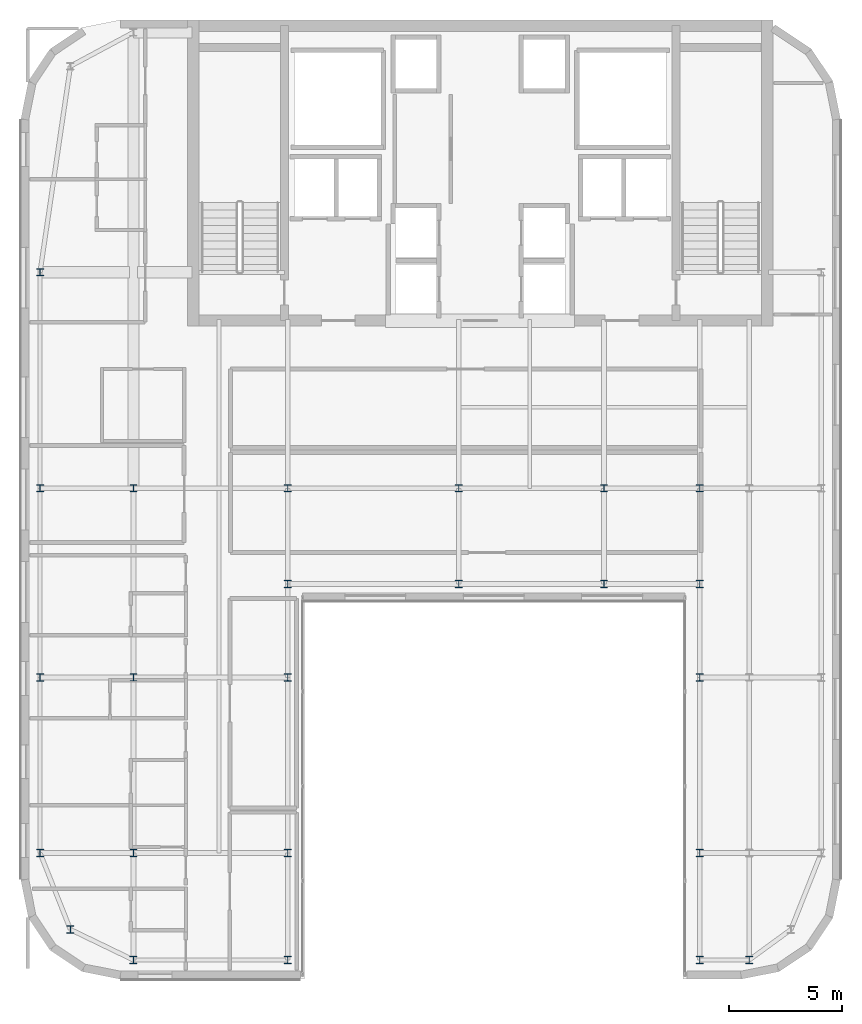
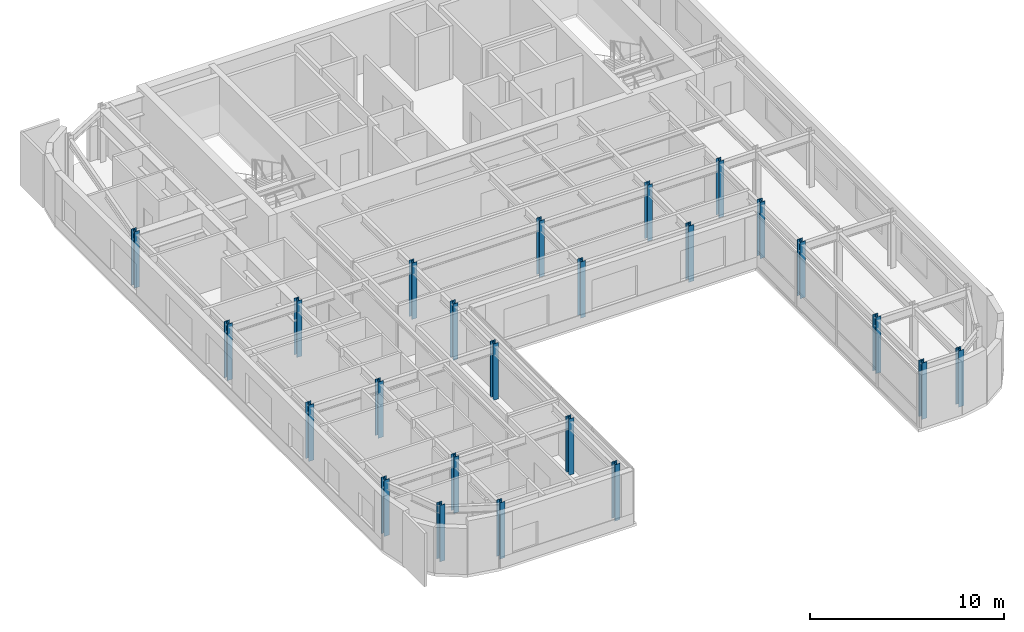
# One storey, part 1 of 21: 24 columns.
"""IFC4 building model written with IfcOpenShell, lengths in metres."""

from ifc_helpers import new_model, si_unit, direction, frame, origin, origin_2d, place, context, subcontext, project, spatial, i_section, extrude, source, transform, mapped, material, material_profile, profile_set, type_object, type_shapes, element, save


model = new_model("IFC4")

# Units and contexts
model_context = context("Model", 3, precision=1e-05, world=origin(), true_north=direction((0.0, 1.0)))
body_context = subcontext(model_context, "Body", "Model", "MODEL_VIEW")
ifc_project = project(units=[si_unit("LENGTHUNIT", "METRE"), si_unit("AREAUNIT", "SQUARE_METRE"), si_unit("VOLUMEUNIT", "CUBIC_METRE"), si_unit("PLANEANGLEUNIT", "RADIAN"), si_unit("MASSUNIT", "GRAM", prefix="KILO")], contexts=[model_context])

# Site, building, storey
site_placement = place(None, origin())
site = spatial("IfcSite", under=ifc_project, at=site_placement, CompositionType="ELEMENT")
building_placement = place(site_placement, origin())
building = spatial("IfcBuilding", under=site, at=building_placement, Name="Tolvann Quenvar Hotel", CompositionType="ELEMENT")
storey_placement = place(building_placement, frame((0.0, 0.0, 262.949951171875)))
storey = spatial("IfcBuildingStorey", under=building, at=storey_placement, Name="L70", CompositionType="ELEMENT", Elevation=262.949951171875)

# Columns
ifc_material = material(Name="Steel Grade 350", Category="steel")
ifc_material_profile_1 = material_profile(ifc_material, i_section(OverallWidth=0.30908203125, OverallDepth=0.321044921875, WebThickness=0.013916015625, FlangeThickness=0.021728515625, FilletRadius=0.0166015625, at=origin_2d()), Name="310UC137")
ifc_profile_set_1 = profile_set([ifc_material_profile_1], Name="Steel Grade 350")
column_type_1 = type_object("IfcColumnType", Name="COL_310UC137", PredefinedType="COLUMN", material=ifc_profile_set_1)
shared_shape_1 = source(origin(), body_context, "Body", "SweptSolid", [
    extrude(i_section(OverallWidth=0.30908203125, OverallDepth=0.321044921875, WebThickness=0.013916015625, FlangeThickness=0.021728515625, FilletRadius=0.0166015625, at=origin_2d()), origin(), (0.0, 0.0, 1.0), 3.550048828125),
])
type_shapes(column_type_1, [shared_shape_1])
for number, where, z_axis, x_axis, name in (
    (1, (4.800048828125, 4.800048828125, 0.0), (0.0, 0.0, 1.0), (1.0, 0.0, 0.0), "Column B2 (L70)"),
    (2, (3.449951171875, 8.199951171875, 0.0), (0.0, 0.0, 1.0), (1.0, 0.0, 0.0), "Column B3 (L70)"),
    (3, (3.449951171875, 16.0, 0.0), (0.0, 0.0, 1.0), (1.0, 0.0, 0.0), "Column B4 (L70)"),
    (4, (7.60009765625, 3.449951171875, 0.0), (0.0, 0.0, 1.0), (1.0, 0.0, 0.0), "Column C2 (L70)"),
    (5, (14.449951171875, 3.449951171875, 0.0), (0.0, 0.0, 1.0), (1.0, 0.0, 0.0), "Column D2 (L70)"),
    (6, (14.449951171875, 8.199951171875, 0.0), (0.0, 0.0, 1.0), (1.0, 0.0, 0.0), "Column D3 (L70)"),
    (7, (14.449951171875, 16.0, 0.0), (0.0, 0.0, 1.0), (1.0, 0.0, 0.0), "Column D4 (L70)"),
    (8, (32.75, 3.449951171875, 0.0), (0.0, 0.0, 1.0), (1.0, 0.0, 0.0), "Column FP2 (L70)"),
    (9, (32.75, 8.199951171875, 0.0), (0.0, 0.0, 1.0), (1.0, 0.0, 0.0), "Column FP3 (L70)"),
    (10, (32.75, 16.0, 0.0), (0.0, 0.0, 1.0), (1.0, 0.0, 0.0), "Column FP4 (L70)"),
    (11, (34.949951171875, 3.449951171875, 0.0), (0.0, 0.0, 1.0), (1.0, 0.0, 0.0), "Column F2 (L70)"),
    (12, (3.449951171875, 24.39990234375, 0.0), (0.0, 0.0, 1.0), (1.0, 0.0, 0.0), "Column B5 (L70)"),
    (13, (14.449951171875, 20.14990234375, 0.0), (0.0, 0.0, 1.0), (1.0, 0.0, 0.0), "Column D4P (L70)"),
    (14, (22.050048828125, 20.14990234375, 0.0), (0.0, 0.0, 1.0), (1.0, 0.0, 0.0), "Column E4P (L70)"),
    (15, (28.5, 20.14990234375, 0.0), (0.0, 0.0, 1.0), (1.0, 0.0, 0.0), "Column M4P (L70)"),
    (16, (32.75, 20.14990234375, 0.0), (0.0, 0.0, 1.0), (1.0, 0.0, 0.0), "Column FP4P (L70)"),
    (17, (3.449951171875, 34.0, 0.0), (0.0, 0.0, 1.0), (1.0, 0.0, 0.0), "Column BD6 (L70)"),
):
    element("IfcColumn", number, at=place(storey_placement, frame(where, z_axis=z_axis, x_axis=x_axis)), inside=storey, type_object=column_type_1, Name=name, PredefinedType="COLUMN", context=body_context, shape_type="MappedRepresentation", body=[
        mapped(shared_shape_1, transform((0.0, 0.0, 0.0), x_axis=(1.0, 0.0, 0.0), y_axis=(0.0, 1.0, 0.0), z_axis=(0.0, 0.0, 1.0), scale=1.0)),
    ])
ifc_material_profile_2 = material_profile(ifc_material, i_section(OverallWidth=0.306884765625, OverallDepth=0.31494140625, WebThickness=0.011962890625, FlangeThickness=0.018798828125, FilletRadius=0.0166015625, at=origin_2d()), Name="310UC118")
ifc_profile_set_2 = profile_set([ifc_material_profile_2], Name="Steel Grade 350")
column_type_2 = type_object("IfcColumnType", Name="COL_310UC118", PredefinedType="COLUMN", material=ifc_profile_set_2)
shared_shape_2 = source(origin(), body_context, "Body", "SweptSolid", [
    extrude(i_section(OverallWidth=0.306884765625, OverallDepth=0.31494140625, WebThickness=0.011962890625, FlangeThickness=0.018798828125, FilletRadius=0.0166015625, at=origin_2d()), origin(), (0.0, 0.0, 1.0), 3.550048828125),
])
type_shapes(column_type_2, [shared_shape_2])
for number, where, z_axis, x_axis, name in (
    (18, (7.60009765625, 8.199951171875, 0.0), (0.0, 0.0, 1.0), (1.0, 0.0, 0.0), "Column C3 (L70)"),
    (19, (7.60009765625, 16.0, 0.0), (0.0, 0.0, 1.0), (1.0, 0.0, 0.0), "Column C4 (L70)"),
    (20, (7.60009765625, 24.39990234375, 0.0), (0.0, 0.0, 1.0), (1.0, 0.0, 0.0), "Column C5 (L70)"),
    (21, (14.449951171875, 24.39990234375, 0.0), (0.0, 0.0, 1.0), (1.0, 0.0, 0.0), "Column D5 (L70)"),
    (22, (22.050048828125, 24.39990234375, 0.0), (0.0, 0.0, 1.0), (1.0, 0.0, 0.0), "Column E5 (L70)"),
    (23, (28.5, 24.39990234375, 0.0), (0.0, 0.0, 1.0), (1.0, 0.0, 0.0), "Column M5 (L70)"),
    (24, (32.75, 24.39990234375, 0.0), (0.0, 0.0, 1.0), (1.0, 0.0, 0.0), "Column FP5 (L70)"),
):
    element("IfcColumn", number, at=place(storey_placement, frame(where, z_axis=z_axis, x_axis=x_axis)), inside=storey, type_object=column_type_2, Name=name, PredefinedType="COLUMN", context=body_context, shape_type="MappedRepresentation", body=[
        mapped(shared_shape_2, transform((0.0, 0.0, 0.0), x_axis=(1.0, 0.0, 0.0), y_axis=(0.0, 1.0, 0.0), z_axis=(0.0, 0.0, 1.0), scale=1.0)),
    ])

save(model, "model.ifc")
